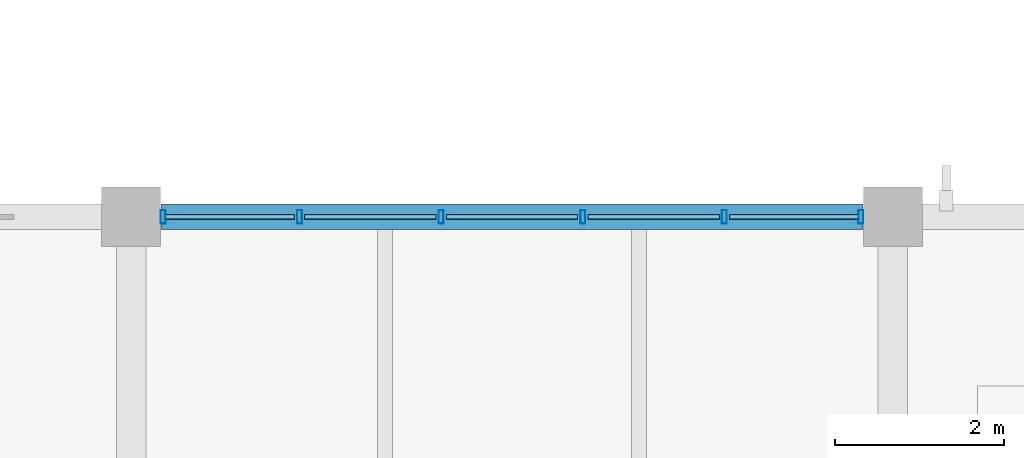
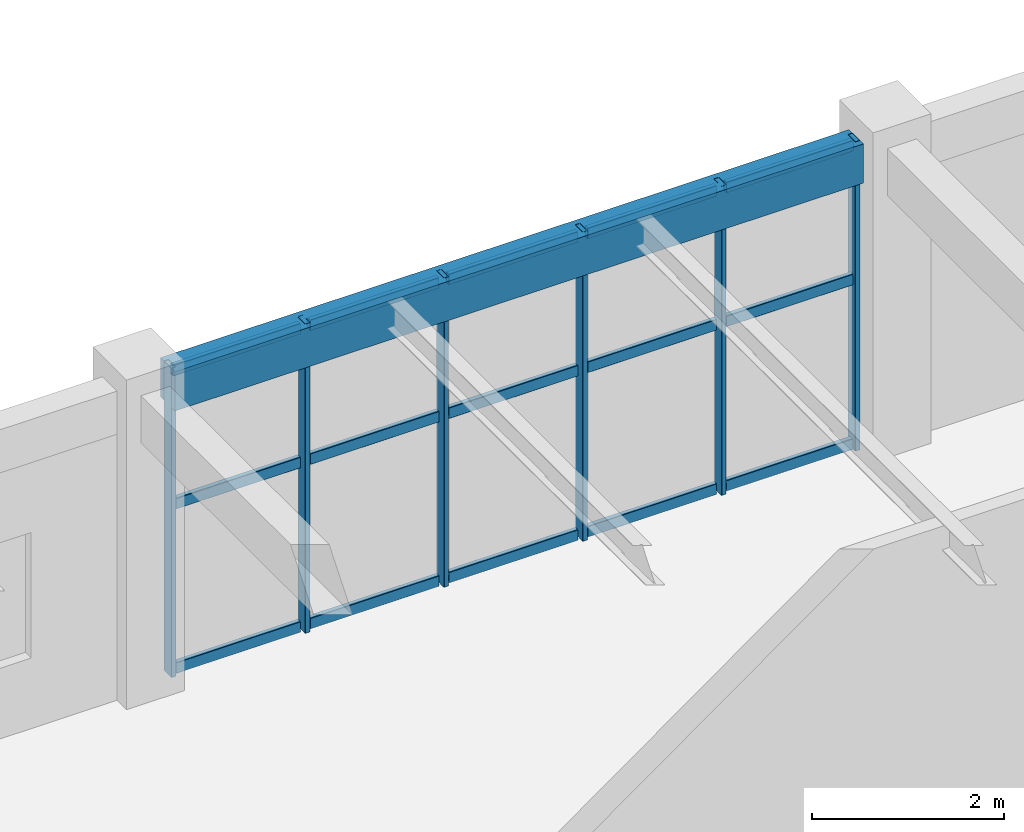
# One storey, part 35 of 128: 21 members, 1 beam, 1 element without a shape of its own.
"""IFC4 building model written with IfcOpenShell, lengths in metres."""

from ifc_helpers import new_model, si_unit, derived_unit, direction, frame, origin, origin_2d, place, context, subcontext, project, spatial, rectangle, hollow_rectangle, extrude, material, material_profile, profile_set, type_object, element, aggregate, save


model = new_model("IFC4")

# Units and contexts
model_context = context("Model", 3, precision=1e-05, world=origin(), true_north=direction((0.0, 1.0)))
body_context = subcontext(model_context, "Body", "Model", "MODEL_VIEW")
ifc_project = project(units=[si_unit("LENGTHUNIT", "METRE"), si_unit("AREAUNIT", "SQUARE_METRE"), si_unit("VOLUMEUNIT", "CUBIC_METRE"), si_unit("PLANEANGLEUNIT", "RADIAN"), si_unit("MASSUNIT", "GRAM", prefix="KILO"), derived_unit("THERMALTRANSMITTANCEUNIT", [(si_unit("MASSUNIT", "GRAM", prefix="KILO"), 1), (si_unit("TIMEUNIT", "SECOND"), -3), (si_unit("THERMODYNAMICTEMPERATUREUNIT", "KELVIN"), -1)])], contexts=[model_context])

# Site, building, storey
site_placement = place(None, origin())
site = spatial("IfcSite", under=ifc_project, at=site_placement, CompositionType="ELEMENT")
building_placement = place(site_placement, origin())
building = spatial("IfcBuilding", under=site, at=building_placement, Name="Zhenchuan Archway Interchange", CompositionType="ELEMENT")
storey_placement = place(building_placement, frame((0.0, 0.0, 14.39990234375)))
storey = spatial("IfcBuildingStorey", under=building, at=storey_placement, Name="L03", CompositionType="ELEMENT", Elevation=14.39990234375)

# Curtain wall, members
ifc_material_1 = material(Name="Anodised Aluminium", Category="aluminium")
curtain_wall_type = type_object("IfcCurtainWallType", Name="CW_UNIT_3", PredefinedType="NOTDEFINED", material=ifc_material_1)
curtain_wall_placement = place(storey_placement, origin())
curtain_wall = element("IfcCurtainWall", 1, at=curtain_wall_placement, inside=storey, type_object=curtain_wall_type, Name="Unitised curtain wall CW:L03:166", PredefinedType="NOTDEFINED")
ifc_material_profile_1 = material_profile(ifc_material_1, hollow_rectangle(XDim=0.06005859375, YDim=0.159912109375, WallThickness=0.00390625, InnerFilletRadius=0.00390625, OuterFilletRadius=0.008056640625, at=origin_2d()), Name="ALU 160x60x4")
ifc_profile_set_1 = profile_set([ifc_material_profile_1], Name="Anodised Aluminium")
member_type_1 = type_object("IfcMemberType", Name="CW_MUL_150", PredefinedType="MULLION", material=ifc_profile_set_1)
member_1_placement = place(storey_placement, frame((117.3779296875, 24.0, 0.0), z_axis=(0.0, 0.0, 1.0), x_axis=(1.0, 0.0, 0.0)))
member_1 = element("IfcMember", 2, at=member_1_placement, type_object=member_type_1, Name="CW:L03:166 mullion 0", PredefinedType="MULLION", context=body_context, shape_type="SweptSolid", body=[
    extrude(hollow_rectangle(XDim=0.06005859375, YDim=0.159912109375, WallThickness=0.00390625, InnerFilletRadius=0.00390625, OuterFilletRadius=0.008056640625, at=origin_2d()), origin(), (0.0, 0.0, 1.0), 3.940185546875),
])
member_2_placement = place(storey_placement, frame((118.99072265625, 24.0, 0.0), z_axis=(0.0, 0.0, 1.0), x_axis=(1.0, 0.0, 0.0)))
member_2 = element("IfcMember", 3, at=member_2_placement, type_object=member_type_1, Name="CW:L03:166 mullion 1", PredefinedType="MULLION", context=body_context, shape_type="SweptSolid", body=[
    extrude(hollow_rectangle(XDim=0.06005859375, YDim=0.159912109375, WallThickness=0.00390625, InnerFilletRadius=0.00390625, OuterFilletRadius=0.008056640625, at=origin_2d()), origin(), (0.0, 0.0, 1.0), 3.940185546875),
])
member_3_placement = place(storey_placement, frame((120.66357421875, 24.0, 0.0), z_axis=(0.0, 0.0, 1.0), x_axis=(1.0, 0.0, 0.0)))
member_3 = element("IfcMember", 4, at=member_3_placement, type_object=member_type_1, Name="CW:L03:166 mullion 2", PredefinedType="MULLION", context=body_context, shape_type="SweptSolid", body=[
    extrude(hollow_rectangle(XDim=0.06005859375, YDim=0.159912109375, WallThickness=0.00390625, InnerFilletRadius=0.00390625, OuterFilletRadius=0.008056640625, at=origin_2d()), origin(), (0.0, 0.0, 1.0), 3.940185546875),
])
member_4_placement = place(storey_placement, frame((122.33642578125, 24.0, 0.0), z_axis=(0.0, 0.0, 1.0), x_axis=(1.0, 0.0, 0.0)))
member_4 = element("IfcMember", 5, at=member_4_placement, type_object=member_type_1, Name="CW:L03:166 mullion 3", PredefinedType="MULLION", context=body_context, shape_type="SweptSolid", body=[
    extrude(hollow_rectangle(XDim=0.06005859375, YDim=0.159912109375, WallThickness=0.00390625, InnerFilletRadius=0.00390625, OuterFilletRadius=0.008056640625, at=origin_2d()), origin(), (0.0, 0.0, 1.0), 3.940185546875),
])
member_5_placement = place(storey_placement, frame((124.00927734375, 24.0, 0.0), z_axis=(0.0, 0.0, 1.0), x_axis=(1.0, 0.0, 0.0)))
member_5 = element("IfcMember", 6, at=member_5_placement, type_object=member_type_1, Name="CW:L03:166 mullion 4", PredefinedType="MULLION", context=body_context, shape_type="SweptSolid", body=[
    extrude(hollow_rectangle(XDim=0.06005859375, YDim=0.159912109375, WallThickness=0.00390625, InnerFilletRadius=0.00390625, OuterFilletRadius=0.008056640625, at=origin_2d()), origin(), (0.0, 0.0, 1.0), 3.940185546875),
])
member_6_placement = place(storey_placement, frame((125.6220703125, 24.0, 0.0), z_axis=(0.0, 0.0, 1.0), x_axis=(1.0, 0.0, 0.0)))
member_6 = element("IfcMember", 7, at=member_6_placement, type_object=member_type_1, Name="CW:L03:166 mullion 5", PredefinedType="MULLION", context=body_context, shape_type="SweptSolid", body=[
    extrude(hollow_rectangle(XDim=0.06005859375, YDim=0.159912109375, WallThickness=0.00390625, InnerFilletRadius=0.00390625, OuterFilletRadius=0.008056640625, at=origin_2d()), origin(), (0.0, 0.0, 1.0), 3.940185546875),
])
ifc_material_profile_2 = material_profile(ifc_material_1, hollow_rectangle(XDim=0.06005859375, YDim=0.139892578125, WallThickness=0.00341796875, InnerFilletRadius=0.00341796875, OuterFilletRadius=0.007080078125, at=origin_2d()), Name="ALU 140x60x3.5")
ifc_profile_set_2 = profile_set([ifc_material_profile_2], Name="Anodised Aluminium")
member_type_2 = type_object("IfcMemberType", Name="CW_TRN_140", PredefinedType="USERDEFINED", material=ifc_profile_set_2)
member_7_placement = place(storey_placement, frame((117.39794921875, 24.0, 0.06005859375), z_axis=(1.0, 0.0, 0.0), x_axis=(0.0, 1.0, 0.0)))
member_7 = element("IfcMember", 8, at=member_7_placement, type_object=member_type_2, Name="CW:L03:166 transom 0-1", ObjectType="TRANSOM", PredefinedType="USERDEFINED", context=body_context, shape_type="SweptSolid", body=[
    extrude(hollow_rectangle(XDim=0.06005859375, YDim=0.139892578125, WallThickness=0.00341796875, InnerFilletRadius=0.00341796875, OuterFilletRadius=0.007080078125, at=origin_2d()), origin(), (0.0, 0.0, 1.0), 1.532958984375),
])
member_8_placement = place(storey_placement, frame((117.39794921875, 24.0, 2.156005859375), z_axis=(1.0, 0.0, 0.0), x_axis=(0.0, 1.0, 0.0)))
member_8 = element("IfcMember", 9, at=member_8_placement, type_object=member_type_2, Name="CW:L03:166 transom 0-2", ObjectType="TRANSOM", PredefinedType="USERDEFINED", context=body_context, shape_type="SweptSolid", body=[
    extrude(hollow_rectangle(XDim=0.06005859375, YDim=0.139892578125, WallThickness=0.00341796875, InnerFilletRadius=0.00341796875, OuterFilletRadius=0.007080078125, at=origin_2d()), origin(), (0.0, 0.0, 1.0), 1.532958984375),
])
member_9_placement = place(storey_placement, frame((117.39794921875, 24.0, 3.860107421875), z_axis=(1.0, 0.0, 0.0), x_axis=(0.0, 1.0, 0.0)))
member_9 = element("IfcMember", 10, at=member_9_placement, type_object=member_type_2, Name="CW:L03:166 transom 0-3", ObjectType="TRANSOM", PredefinedType="USERDEFINED", context=body_context, shape_type="SweptSolid", body=[
    extrude(hollow_rectangle(XDim=0.06005859375, YDim=0.139892578125, WallThickness=0.00341796875, InnerFilletRadius=0.00341796875, OuterFilletRadius=0.007080078125, at=origin_2d()), origin(), (0.0, 0.0, 1.0), 1.532958984375),
])
member_10_placement = place(storey_placement, frame((119.05078125, 24.0, 0.06005859375), z_axis=(1.0, 0.0, 0.0), x_axis=(0.0, 1.0, 0.0)))
member_10 = element("IfcMember", 11, at=member_10_placement, type_object=member_type_2, Name="CW:L03:166 transom 1-1", ObjectType="TRANSOM", PredefinedType="USERDEFINED", context=body_context, shape_type="SweptSolid", body=[
    extrude(hollow_rectangle(XDim=0.06005859375, YDim=0.139892578125, WallThickness=0.00341796875, InnerFilletRadius=0.00341796875, OuterFilletRadius=0.007080078125, at=origin_2d()), origin(), (0.0, 0.0, 1.0), 1.552734375),
])
member_11_placement = place(storey_placement, frame((119.05078125, 24.0, 2.156005859375), z_axis=(1.0, 0.0, 0.0), x_axis=(0.0, 1.0, 0.0)))
member_11 = element("IfcMember", 12, at=member_11_placement, type_object=member_type_2, Name="CW:L03:166 transom 1-2", ObjectType="TRANSOM", PredefinedType="USERDEFINED", context=body_context, shape_type="SweptSolid", body=[
    extrude(hollow_rectangle(XDim=0.06005859375, YDim=0.139892578125, WallThickness=0.00341796875, InnerFilletRadius=0.00341796875, OuterFilletRadius=0.007080078125, at=origin_2d()), origin(), (0.0, 0.0, 1.0), 1.552734375),
])
member_12_placement = place(storey_placement, frame((119.05078125, 24.0, 3.860107421875), z_axis=(1.0, 0.0, 0.0), x_axis=(0.0, 1.0, 0.0)))
member_12 = element("IfcMember", 13, at=member_12_placement, type_object=member_type_2, Name="CW:L03:166 transom 1-3", ObjectType="TRANSOM", PredefinedType="USERDEFINED", context=body_context, shape_type="SweptSolid", body=[
    extrude(hollow_rectangle(XDim=0.06005859375, YDim=0.139892578125, WallThickness=0.00341796875, InnerFilletRadius=0.00341796875, OuterFilletRadius=0.007080078125, at=origin_2d()), origin(), (0.0, 0.0, 1.0), 1.552734375),
])
member_13_placement = place(storey_placement, frame((120.7236328125, 24.0, 0.06005859375), z_axis=(1.0, 0.0, 0.0), x_axis=(0.0, 1.0, 0.0)))
member_13 = element("IfcMember", 14, at=member_13_placement, type_object=member_type_2, Name="CW:L03:166 transom 2-1", ObjectType="TRANSOM", PredefinedType="USERDEFINED", context=body_context, shape_type="SweptSolid", body=[
    extrude(hollow_rectangle(XDim=0.06005859375, YDim=0.139892578125, WallThickness=0.00341796875, InnerFilletRadius=0.00341796875, OuterFilletRadius=0.007080078125, at=origin_2d()), origin(), (0.0, 0.0, 1.0), 1.552734375),
])
member_14_placement = place(storey_placement, frame((120.7236328125, 24.0, 2.156005859375), z_axis=(1.0, 0.0, 0.0), x_axis=(0.0, 1.0, 0.0)))
member_14 = element("IfcMember", 15, at=member_14_placement, type_object=member_type_2, Name="CW:L03:166 transom 2-2", ObjectType="TRANSOM", PredefinedType="USERDEFINED", context=body_context, shape_type="SweptSolid", body=[
    extrude(hollow_rectangle(XDim=0.06005859375, YDim=0.139892578125, WallThickness=0.00341796875, InnerFilletRadius=0.00341796875, OuterFilletRadius=0.007080078125, at=origin_2d()), origin(), (0.0, 0.0, 1.0), 1.552734375),
])
member_15_placement = place(storey_placement, frame((120.7236328125, 24.0, 3.860107421875), z_axis=(1.0, 0.0, 0.0), x_axis=(0.0, 1.0, 0.0)))
member_15 = element("IfcMember", 16, at=member_15_placement, type_object=member_type_2, Name="CW:L03:166 transom 2-3", ObjectType="TRANSOM", PredefinedType="USERDEFINED", context=body_context, shape_type="SweptSolid", body=[
    extrude(hollow_rectangle(XDim=0.06005859375, YDim=0.139892578125, WallThickness=0.00341796875, InnerFilletRadius=0.00341796875, OuterFilletRadius=0.007080078125, at=origin_2d()), origin(), (0.0, 0.0, 1.0), 1.552734375),
])
member_16_placement = place(storey_placement, frame((122.396484375, 24.0, 0.06005859375), z_axis=(1.0, 0.0, 0.0), x_axis=(0.0, 1.0, 0.0)))
member_16 = element("IfcMember", 17, at=member_16_placement, type_object=member_type_2, Name="CW:L03:166 transom 3-1", ObjectType="TRANSOM", PredefinedType="USERDEFINED", context=body_context, shape_type="SweptSolid", body=[
    extrude(hollow_rectangle(XDim=0.06005859375, YDim=0.139892578125, WallThickness=0.00341796875, InnerFilletRadius=0.00341796875, OuterFilletRadius=0.007080078125, at=origin_2d()), origin(), (0.0, 0.0, 1.0), 1.552734375),
])
member_17_placement = place(storey_placement, frame((122.396484375, 24.0, 2.156005859375), z_axis=(1.0, 0.0, 0.0), x_axis=(0.0, 1.0, 0.0)))
member_17 = element("IfcMember", 18, at=member_17_placement, type_object=member_type_2, Name="CW:L03:166 transom 3-2", ObjectType="TRANSOM", PredefinedType="USERDEFINED", context=body_context, shape_type="SweptSolid", body=[
    extrude(hollow_rectangle(XDim=0.06005859375, YDim=0.139892578125, WallThickness=0.00341796875, InnerFilletRadius=0.00341796875, OuterFilletRadius=0.007080078125, at=origin_2d()), origin(), (0.0, 0.0, 1.0), 1.552734375),
])
member_18_placement = place(storey_placement, frame((122.396484375, 24.0, 3.860107421875), z_axis=(1.0, 0.0, 0.0), x_axis=(0.0, 1.0, 0.0)))
member_18 = element("IfcMember", 19, at=member_18_placement, type_object=member_type_2, Name="CW:L03:166 transom 3-3", ObjectType="TRANSOM", PredefinedType="USERDEFINED", context=body_context, shape_type="SweptSolid", body=[
    extrude(hollow_rectangle(XDim=0.06005859375, YDim=0.139892578125, WallThickness=0.00341796875, InnerFilletRadius=0.00341796875, OuterFilletRadius=0.007080078125, at=origin_2d()), origin(), (0.0, 0.0, 1.0), 1.552734375),
])
member_19_placement = place(storey_placement, frame((124.069091796875, 24.0, 0.06005859375), z_axis=(1.0, 0.0, 0.0), x_axis=(0.0, 1.0, 0.0)))
member_19 = element("IfcMember", 20, at=member_19_placement, type_object=member_type_2, Name="CW:L03:166 transom 4-1", ObjectType="TRANSOM", PredefinedType="USERDEFINED", context=body_context, shape_type="SweptSolid", body=[
    extrude(hollow_rectangle(XDim=0.06005859375, YDim=0.139892578125, WallThickness=0.00341796875, InnerFilletRadius=0.00341796875, OuterFilletRadius=0.007080078125, at=origin_2d()), origin(), (0.0, 0.0, 1.0), 1.532958984375),
])
member_20_placement = place(storey_placement, frame((124.069091796875, 24.0, 2.156005859375), z_axis=(1.0, 0.0, 0.0), x_axis=(0.0, 1.0, 0.0)))
member_20 = element("IfcMember", 21, at=member_20_placement, type_object=member_type_2, Name="CW:L03:166 transom 4-2", ObjectType="TRANSOM", PredefinedType="USERDEFINED", context=body_context, shape_type="SweptSolid", body=[
    extrude(hollow_rectangle(XDim=0.06005859375, YDim=0.139892578125, WallThickness=0.00341796875, InnerFilletRadius=0.00341796875, OuterFilletRadius=0.007080078125, at=origin_2d()), origin(), (0.0, 0.0, 1.0), 1.532958984375),
])
member_21_placement = place(storey_placement, frame((124.069091796875, 24.0, 3.860107421875), z_axis=(1.0, 0.0, 0.0), x_axis=(0.0, 1.0, 0.0)))
member_21 = element("IfcMember", 22, at=member_21_placement, type_object=member_type_2, Name="CW:L03:166 transom 4-3", ObjectType="TRANSOM", PredefinedType="USERDEFINED", context=body_context, shape_type="SweptSolid", body=[
    extrude(hollow_rectangle(XDim=0.06005859375, YDim=0.139892578125, WallThickness=0.00341796875, InnerFilletRadius=0.00341796875, OuterFilletRadius=0.007080078125, at=origin_2d()), origin(), (0.0, 0.0, 1.0), 1.532958984375),
])
aggregate(curtain_wall, [member_1, member_2, member_3, member_4, member_5, member_6, member_7, member_8, member_9, member_10, member_11, member_12, member_13, member_14, member_15, member_16, member_17, member_18, member_19, member_20, member_21])

# Beam
ifc_material_2 = material(Name="Concrete C40", Category="concrete")
ifc_material_profile_3 = material_profile(ifc_material_2, rectangle(XDim=0.300048828125, YDim=0.5, at=origin_2d()), Name="RC 300x500")
ifc_profile_set_3 = profile_set([ifc_material_profile_3], Name="Concrete C40")
beam_type = type_object("IfcBeamType", Name="SP_RC_300x500", PredefinedType="SPANDREL", material=ifc_profile_set_3)
beam_placement = place(storey_placement, frame((117.35009765625, 24.0, 3.690185546875), z_axis=(1.0, 0.0, 0.0), x_axis=(0.0, 1.0, 0.0)))
element("IfcBeam", 23, at=beam_placement, inside=storey, type_object=beam_type, Name="Beam D:14-15 (L03)", PredefinedType="SPANDREL", context=body_context, shape_type="SweptSolid", body=[
    extrude(rectangle(XDim=0.300048828125, YDim=0.5, at=origin_2d()), origin(), (0.0, 0.0, 1.0), 8.2998046875),
])

save(model, "model.ifc")
